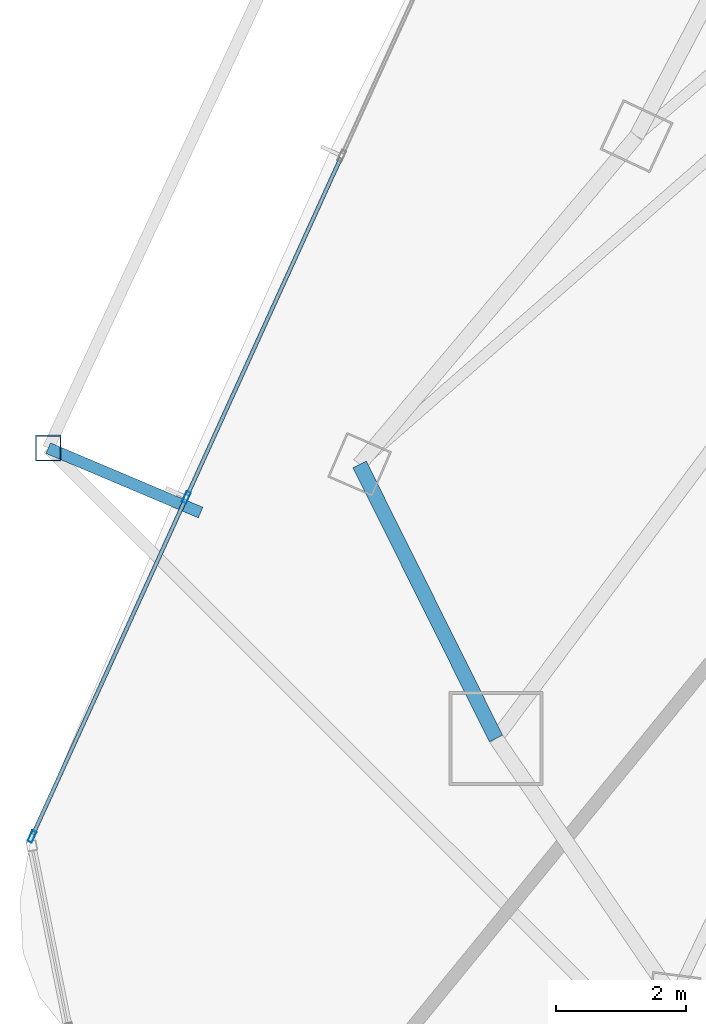
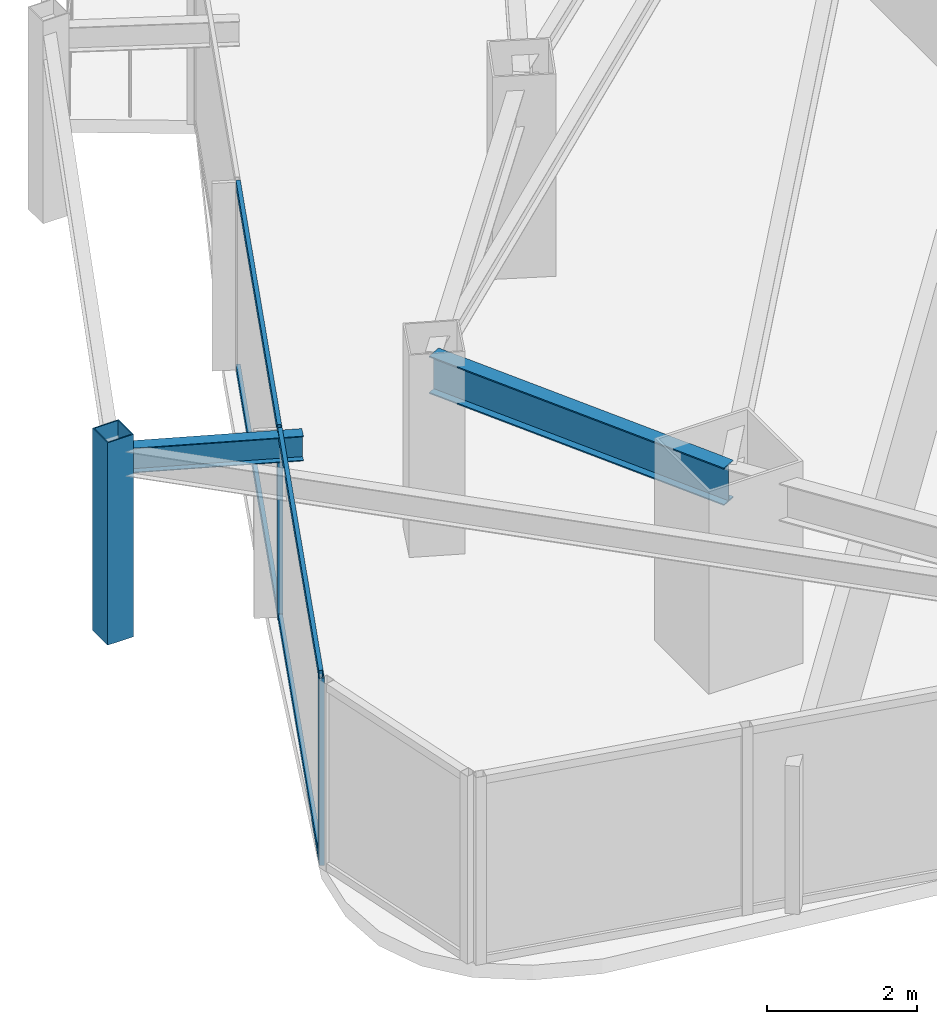
# One storey, part 5 of 33: 7 members, 2 beams, 1 element without a shape of its own.
"""IFC4 building model written with IfcOpenShell, lengths in metres."""

from ifc_helpers import new_model, si_unit, direction, frame, origin, origin_2d, place, context, subcontext, project, spatial, hollow_rectangle, i_section, extrude, material, layer, layer_set, material_profile, profile_set, type_object, element, aggregate, save


model = new_model("IFC4")

# Units and contexts
model_context = context("Model", 3, precision=1e-05, world=origin(), true_north=direction((0.0, 1.0)))
body_context = subcontext(model_context, "Body", "Model", "MODEL_VIEW")
ifc_project = project(units=[si_unit("LENGTHUNIT", "METRE"), si_unit("AREAUNIT", "SQUARE_METRE"), si_unit("VOLUMEUNIT", "CUBIC_METRE"), si_unit("PLANEANGLEUNIT", "RADIAN"), si_unit("MASSUNIT", "GRAM", prefix="KILO")], contexts=[model_context])

# Site, building, storey
site_placement = place(None, origin())
site = spatial("IfcSite", under=ifc_project, at=site_placement, CompositionType="ELEMENT")
building_placement = place(site_placement, origin())
building = spatial("IfcBuilding", under=site, at=building_placement, Name="Orvanel Arch Residences", CompositionType="ELEMENT")
storey_placement = place(building_placement, frame((0.0, 0.0, 119.89990234375)))
storey = spatial("IfcBuildingStorey", under=building, at=storey_placement, Name="L33", CompositionType="ELEMENT", Elevation=119.89990234375)

# Curtain wall, members
ifc_material_1 = material(Name="Bronze-anodised aluminium AA6063-T6", Category="aluminium")
ifc_layer = layer(ifc_material_1, 0.179931640625)
ifc_layer_set = layer_set([ifc_layer], Name="Bronze-anodised aluminium AA6063-T6")
curtain_wall_type = type_object("IfcCurtainWallType", Name="CW3-MID-SYS", PredefinedType="NOTDEFINED", material=ifc_layer_set)
curtain_wall_placement = place(storey_placement, origin())
curtain_wall = element("IfcCurtainWall", 1, at=curtain_wall_placement, inside=storey, type_object=curtain_wall_type, Name="L33 CW3-MID-SYS Unitised Curtain Wall", PredefinedType="NOTDEFINED")
ifc_material_profile_1 = material_profile(ifc_material_1, hollow_rectangle(XDim=0.070068359375, YDim=0.179931640625, WallThickness=0.00439453125, at=origin_2d()), Name="ALU180x70x4.5")
ifc_profile_set_1 = profile_set([ifc_material_profile_1], Name="Bronze-anodised aluminium AA6063-T6")
member_type_1 = type_object("IfcMemberType", Name="MUL-180x70", PredefinedType="MULLION", material=ifc_profile_set_1)
member_1_placement = place(storey_placement, frame((9.423583984375, 14.07275390625, 0.0), z_axis=(0.0, 0.0, 1.0), x_axis=(0.9102243469, -0.414115489097, 0.0)))
member_1 = element("IfcMember", 2, at=member_1_placement, type_object=member_type_1, Name="CW-S3 mullion 3", PredefinedType="MULLION", context=body_context, shape_type="SweptSolid", body=[
    extrude(hollow_rectangle(XDim=0.070068359375, YDim=0.179931640625, WallThickness=0.00439453125, at=origin_2d()), origin(), (0.0, 0.0, 1.0), 3.06005859375),
])
member_2_placement = place(storey_placement, frame((7.04248046875, 8.8388671875, 0.0), z_axis=(0.0, 0.0, 1.0), x_axis=(0.9102243469, -0.414115489097, 0.0)))
member_2 = element("IfcMember", 3, at=member_2_placement, type_object=member_type_1, Name="CW-S3 mullion 4", PredefinedType="MULLION", context=body_context, shape_type="SweptSolid", body=[
    extrude(hollow_rectangle(XDim=0.070068359375, YDim=0.179931640625, WallThickness=0.00439453125, at=origin_2d()), origin(), (0.0, 0.0, 1.0), 3.06005859375),
])

# Beams
ifc_material_2 = material(Name="Structural steel AS/NZS 3679.1 Grade 300 (300 MPa)", Category="steel")
ifc_material_profile_2 = material_profile(ifc_material_2, i_section(OverallWidth=0.177978515625, OverallDepth=0.406005859375, WebThickness=0.0078125, FlangeThickness=0.0126953125, at=origin_2d()), Name="410UB59.7")
ifc_profile_set_2 = profile_set([ifc_material_profile_2], Name="Structural steel AS/NZS 3679.1 Grade 300 (300 MPa)")
beam_type_1 = type_object("IfcBeamType", Name="OB-410UB-EXT", PredefinedType="SPANDREL", material=ifc_profile_set_2)
beam_1_placement = place(storey_placement, frame((9.64208984375, 13.8369140625, 2.857177734375), z_axis=(-0.921064988788, 0.389408893618, 0.0), x_axis=(-0.389408893618, -0.921064988788, 0.0)))
element("IfcBeam", 4, at=beam_1_placement, inside=storey, type_object=beam_type_1, Name="L33 Outer Frame Radial Tie Beam 04", PredefinedType="SPANDREL", context=body_context, shape_type="SweptSolid", body=[
    extrude(i_section(OverallWidth=0.177978515625, OverallDepth=0.406005859375, WebThickness=0.0078125, FlangeThickness=0.0126953125, at=origin_2d()), origin(), (0.0, 0.0, 1.0), 2.550537109375),
])
ifc_material_profile_3 = material_profile(ifc_material_2, i_section(OverallWidth=0.22900390625, OverallDepth=0.612060546875, WebThickness=0.011962890625, FlangeThickness=0.01953125, at=origin_2d()), Name="610UB125")
ifc_profile_set_3 = profile_set([ifc_material_profile_3], Name="Structural steel AS/NZS 3679.1 Grade 300 (300 MPa)")
beam_type_2 = type_object("IfcBeamType", Name="SP-610UB", PredefinedType="SPANDREL", material=ifc_profile_set_3)
beam_2_placement = place(storey_placement, frame((12.094970703125, 14.580078125, 2.754150390625), z_axis=(0.44543469453, -0.895314432425, 0.0), x_axis=(0.895314432425, 0.44543469453, 0.0)))
element("IfcBeam", 5, at=beam_2_placement, inside=storey, type_object=beam_type_2, Name="L33 Perimeter Spandrel Beam 02", PredefinedType="SPANDREL", context=body_context, shape_type="SweptSolid", body=[
    extrude(i_section(OverallWidth=0.22900390625, OverallDepth=0.612060546875, WebThickness=0.011962890625, FlangeThickness=0.01953125, at=origin_2d()), origin(), (0.0, 0.0, 1.0), 4.723388671875),
])

# Member
ifc_material_3 = material(Name="Structural steel AS/NZS 1163 C450L0 (Grade 450)", Category="steel")
ifc_material_profile_4 = material_profile(ifc_material_3, hollow_rectangle(XDim=0.39990234375, YDim=0.39990234375, WallThickness=0.01611328125, at=origin_2d()), Name="SHS400x400x16")
ifc_profile_set_4 = profile_set([ifc_material_profile_4], Name="Structural steel AS/NZS 1163 C450L0 (Grade 450)")
member_type_2 = type_object("IfcMemberType", Name="ST-400SHS-EXT", PredefinedType="STRUT", material=ifc_profile_set_4)
member_3_placement = place(storey_placement, frame((7.29296875, 14.830078125, 0.0), z_axis=(0.0, 0.0, 1.0), x_axis=(1.0, 0.0, 0.0)))
element("IfcMember", 6, at=member_3_placement, inside=storey, type_object=member_type_2, Name="L33 Outer Perimeter Frame Post 04", PredefinedType="STRUT", context=body_context, shape_type="SweptSolid", body=[
    extrude(hollow_rectangle(XDim=0.39990234375, YDim=0.39990234375, WallThickness=0.01611328125, at=origin_2d()), origin(), (0.0, 0.0, 1.0), 3.300048828125),
])

ifc_material_profile_5 = material_profile(ifc_material_1, hollow_rectangle(XDim=0.06005859375, YDim=0.135009765625, WallThickness=0.00390625, at=origin_2d()), Name="ALU135x60x4")
ifc_profile_set_5 = profile_set([ifc_material_profile_5], Name="Bronze-anodised aluminium AA6063-T6")
member_type_3 = type_object("IfcMemberType", Name="TRN-135x60", PredefinedType="USERDEFINED", material=ifc_profile_set_5)
member_4_placement = place(storey_placement, frame((11.804931640625, 19.306396484375, 0.030029296875), z_axis=(-0.414121558628, -0.910221585483, 0.0), x_axis=(0.910221585483, -0.414121558628, 0.0)))
member_4 = element("IfcMember", 7, at=member_4_placement, type_object=member_type_3, Name="CW-S3 transom 2.1", ObjectType="TRANSOM", PredefinedType="USERDEFINED", context=body_context, shape_type="SweptSolid", body=[
    extrude(hollow_rectangle(XDim=0.06005859375, YDim=0.135009765625, WallThickness=0.00390625, at=origin_2d()), origin(), (0.0, 0.0, 1.0), 5.715087890625),
])

member_5_placement = place(storey_placement, frame((11.804931640625, 19.306396484375, 3.030029296875), z_axis=(-0.414121558628, -0.910221585483, 0.0), x_axis=(0.910221585483, -0.414121558628, 0.0)))
member_5 = element("IfcMember", 8, at=member_5_placement, type_object=member_type_3, Name="CW-S3 transom 2.2", ObjectType="TRANSOM", PredefinedType="USERDEFINED", context=body_context, shape_type="SweptSolid", body=[
    extrude(hollow_rectangle(XDim=0.06005859375, YDim=0.135009765625, WallThickness=0.00390625, at=origin_2d()), origin(), (0.0, 0.0, 1.0), 5.715087890625),
])

member_6_placement = place(storey_placement, frame((9.4091796875, 14.040771484375, 0.030029296875), z_axis=(-0.414126751339, -0.910219222949, 0.0), x_axis=(0.910219222949, -0.414126751339, 0.0)))
member_6 = element("IfcMember", 9, at=member_6_placement, type_object=member_type_3, Name="CW-S3 transom 3.1", ObjectType="TRANSOM", PredefinedType="USERDEFINED", context=body_context, shape_type="SweptSolid", body=[
    extrude(hollow_rectangle(XDim=0.06005859375, YDim=0.135009765625, WallThickness=0.00390625, at=origin_2d()), origin(), (0.0, 0.0, 1.0), 5.68017578125),
])

member_7_placement = place(storey_placement, frame((9.4091796875, 14.040771484375, 3.030029296875), z_axis=(-0.414126751339, -0.910219222949, 0.0), x_axis=(0.910219222949, -0.414126751339, 0.0)))
member_7 = element("IfcMember", 10, at=member_7_placement, type_object=member_type_3, Name="CW-S3 transom 3.2", ObjectType="TRANSOM", PredefinedType="USERDEFINED", context=body_context, shape_type="SweptSolid", body=[
    extrude(hollow_rectangle(XDim=0.06005859375, YDim=0.135009765625, WallThickness=0.00390625, at=origin_2d()), origin(), (0.0, 0.0, 1.0), 5.68017578125),
])

aggregate(curtain_wall, [member_1, member_2, member_4, member_5, member_6, member_7])

save(model, "model.ifc")
